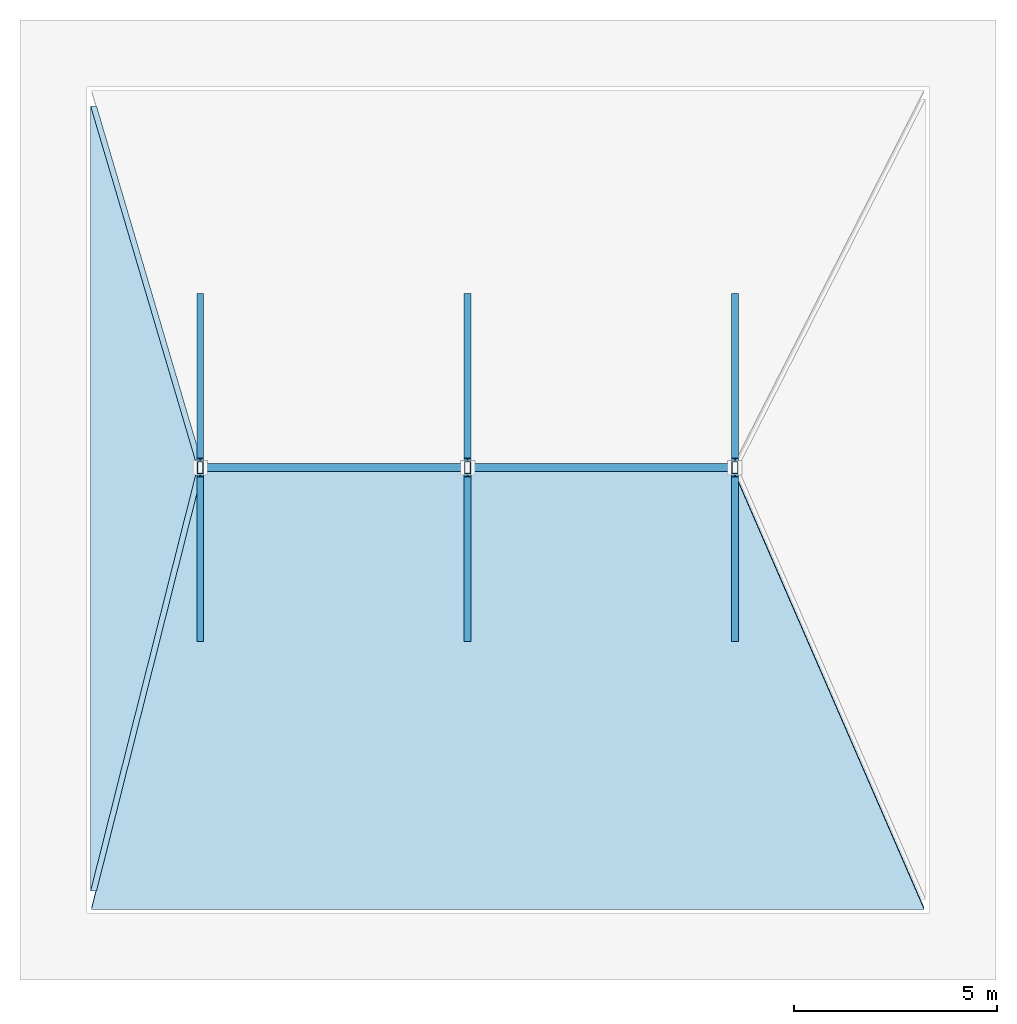
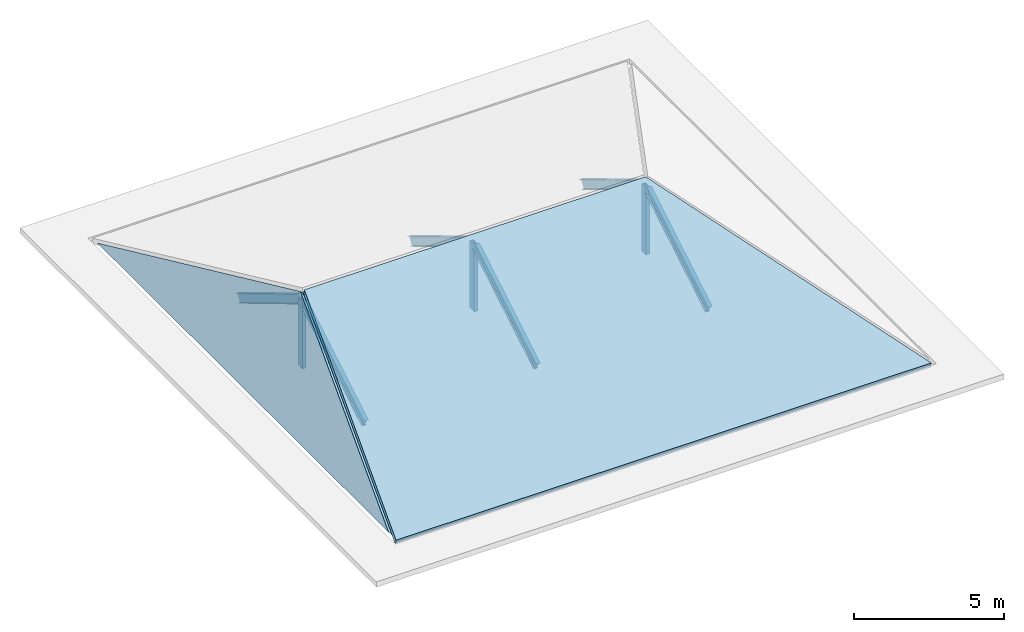
# One storey, part 1 of 2: 7 beams, 3 members, 2 slabs.
"""IFC4 building model written with IfcOpenShell, lengths in metres."""

from ifc_helpers import new_model, si_unit, direction, frame, origin, origin_2d, place, context, subcontext, project, spatial, polyline, hollow_rectangle, i_section, outline, extrude, material, layer, layer_set, material_profile, profile_set, type_object, element, save


model = new_model("IFC4")

# Units and contexts
model_context = context("Model", 3, precision=1e-05, world=origin(), true_north=direction((0.0, 1.0)))
body_context = subcontext(model_context, "Body", "Model", "MODEL_VIEW")
ifc_project = project(units=[si_unit("LENGTHUNIT", "METRE"), si_unit("AREAUNIT", "SQUARE_METRE"), si_unit("VOLUMEUNIT", "CUBIC_METRE"), si_unit("PLANEANGLEUNIT", "RADIAN"), si_unit("MASSUNIT", "GRAM", prefix="KILO")], contexts=[model_context])

# Site, building, storey
site_placement = place(None, origin())
site = spatial("IfcSite", under=ifc_project, at=site_placement, CompositionType="ELEMENT")
building_placement = place(site_placement, origin())
building = spatial("IfcBuilding", under=site, at=building_placement, Name="Kolvaren Faculty of Natural Sciences", CompositionType="ELEMENT")
storey_placement = place(building_placement, frame((0.0, 0.0, 48.0)))
storey = spatial("IfcBuildingStorey", under=building, at=storey_placement, Name="RF", CompositionType="ELEMENT", Elevation=48.0)

# Beams
ifc_material_1 = material(Name="Structural steel EN 10025-2 S355J2", Category="steel")
ifc_material_profile_1 = material_profile(ifc_material_1, i_section(OverallWidth=0.169921875, OverallDepth=0.360107421875, WebThickness=0.008056640625, FlangeThickness=0.0126953125, FilletRadius=0.01806640625, at=origin_2d()), Name="IPE 360")
ifc_profile_set_1 = profile_set([ifc_material_profile_1], Name="Structural steel EN 10025-2 S355J2")
beam_type_1 = type_object("IfcBeamType", Name="LanternRafterBeam_IPE360", PredefinedType="BEAM", material=ifc_profile_set_1)
for number, where, z_axis, x_axis, name in (
    (1, (152.0, 67.39990234375, -0.239990234375), (0.0, 0.858061487953, 0.513546962694), (-1.0, 0.0, 0.0), "Tower lantern pavilion hipped rafter 152-S"),
    (2, (152.0, 75.800048828125, -0.239990234375), (0.0, -0.858061487953, 0.513546962694), (1.0, 0.0, 0.0), "Tower lantern pavilion hipped rafter 152-N"),
    (3, (158.60009765625, 67.39990234375, -0.239990234375), (0.0, 0.858061487953, 0.513546962694), (-1.0, 0.0, 0.0), "Tower lantern pavilion hipped rafter 158-S"),
    (4, (158.60009765625, 75.800048828125, -0.239990234375), (0.0, -0.858061487953, 0.513546962694), (1.0, 0.0, 0.0), "Tower lantern pavilion hipped rafter 158-N"),
    (5, (165.199951171875, 67.39990234375, -0.239990234375), (0.0, 0.858061487953, 0.513546962694), (-1.0, 0.0, 0.0), "Tower lantern pavilion hipped rafter 165-S"),
    (6, (165.199951171875, 75.800048828125, -0.239990234375), (0.0, -0.858061487953, 0.513546962694), (1.0, 0.0, 0.0), "Tower lantern pavilion hipped rafter 165-N"),
):
    element("IfcBeam", number, at=place(storey_placement, frame(where, z_axis=z_axis, x_axis=x_axis)), inside=storey, type_object=beam_type_1, Name=name, PredefinedType="BEAM", context=body_context, shape_type="SweptSolid", body=[
        extrude(i_section(OverallWidth=0.169921875, OverallDepth=0.360107421875, WebThickness=0.008056640625, FlangeThickness=0.0126953125, FilletRadius=0.01806640625, at=origin_2d()), origin(), (0.0, 0.0, 1.0), 4.731689453125),
    ])
ifc_material_profile_2 = material_profile(ifc_material_1, i_section(OverallWidth=0.18994140625, OverallDepth=0.449951171875, WebThickness=0.009521484375, FlangeThickness=0.0146484375, FilletRadius=0.02099609375, at=origin_2d()), Name="IPE 450")
ifc_profile_set_2 = profile_set([ifc_material_profile_2], Name="Structural steel EN 10025-2 S355J2")
beam_type_2 = type_object("IfcBeamType", Name="LanternRidgeBeam_IPE450", PredefinedType="BEAM", material=ifc_profile_set_2)
beam_placement = place(storey_placement, frame((152.0, 71.60009765625, 2.25), z_axis=(1.0, 0.0, 0.0), x_axis=(0.0, 1.0, 0.0)))
element("IfcBeam", 7, at=beam_placement, inside=storey, type_object=beam_type_2, Name="Tower lantern pavilion ridge beam LB-450", PredefinedType="BEAM", context=body_context, shape_type="SweptSolid", body=[
    extrude(i_section(OverallWidth=0.18994140625, OverallDepth=0.449951171875, WebThickness=0.009521484375, FlangeThickness=0.0146484375, FilletRadius=0.02099609375, at=origin_2d()), origin(), (0.0, 0.0, 1.0), 13.199951171875),
])

# Members
ifc_material_2 = material(Name="Structural steel EN 10210-1 S355J2H", Category="steel")
ifc_material_profile_3 = material_profile(ifc_material_2, hollow_rectangle(XDim=0.14990234375, YDim=0.300048828125, WallThickness=0.010009765625, at=origin_2d()), Name="RHS 300x150x10")
ifc_profile_set_3 = profile_set([ifc_material_profile_3], Name="Structural steel EN 10210-1 S355J2H")
member_type = type_object("IfcMemberType", Name="RoofSupportKingPost_RHS300", PredefinedType="POST", material=ifc_profile_set_3)
for number, where, z_axis, x_axis, name in (
    (8, (152.0, 71.60009765625, -0.47509765625), (0.0, 0.0, 1.0), (1.0, 0.0, 0.0), "Tower lantern pavilion king-post strut 152"),
    (9, (158.60009765625, 71.60009765625, -0.47509765625), (0.0, 0.0, 1.0), (1.0, 0.0, 0.0), "Tower lantern pavilion king-post strut 158"),
    (10, (165.199951171875, 71.60009765625, -0.47509765625), (0.0, 0.0, 1.0), (1.0, 0.0, 0.0), "Tower lantern pavilion king-post strut 165"),
):
    element("IfcMember", number, at=place(storey_placement, frame(where, z_axis=z_axis, x_axis=x_axis)), inside=storey, type_object=member_type, Name=name, PredefinedType="POST", context=body_context, shape_type="SweptSolid", body=[
        extrude(hollow_rectangle(XDim=0.14990234375, YDim=0.300048828125, WallThickness=0.010009765625, at=origin_2d()), origin(), (0.0, 0.0, 1.0), 2.72509765625),
    ])

# Slabs
ifc_material_3 = material(Name="Concrete C40/50", Category="concrete")
ifc_layer = layer(ifc_material_3, 0.2099609375)
ifc_layer_set = layer_set([ifc_layer], Name="Concrete C40/50")
slab_type = type_object("IfcSlabType", Name="LanternSlopedRoof_210", PredefinedType="ROOF", material=ifc_layer_set)
slab_1_placement = place(storey_placement, frame((149.3134765625, 60.695068359375, 0.015869140625), z_axis=(0.0, -0.236124278885, 0.971722864258), x_axis=(0.238292069228, 0.943730967239, 0.229322373999)))
element("IfcSlab", 11, at=slab_1_placement, inside=storey, type_object=slab_type, Name="Research Tower Mughal lantern pavilion hipped roof slope S", PredefinedType="ROOF", context=body_context, shape_type="SweptSolid", body=[
    extrude(outline(polyline([(0.0, 0.0), (11.486158795560797, -4.440892098500626e-16), (14.609437122848815, -12.72936921930012), (4.89865896123073, -19.96518787715099), (0.0, 0.0)])), origin(), (0.0, 0.0, -1.0), 0.2099609375),
])
slab_2_placement = place(storey_placement, frame((149.294921875, 80.520751953125, 0.062255859375), z_axis=(-0.691248461649, 0.0, 0.722617163004), x_axis=(0.273621978554, -0.925538245673, 0.261744089999)))
element("IfcSlab", 12, at=slab_2_placement, inside=storey, type_object=slab_type, Name="Research Tower Mughal lantern pavilion hipped roof slope W", PredefinedType="ROOF", context=body_context, shape_type="SweptSolid", body=[
    extrude(outline(polyline([(0.0, 0.0), (9.639924857066344, -4.440892098500626e-16), (17.925750626819845, -7.333743011943526), (0.0, 0.0)])), origin(), (0.0, 0.0, -1.0), 0.2099609375),
])

save(model, "model.ifc")
